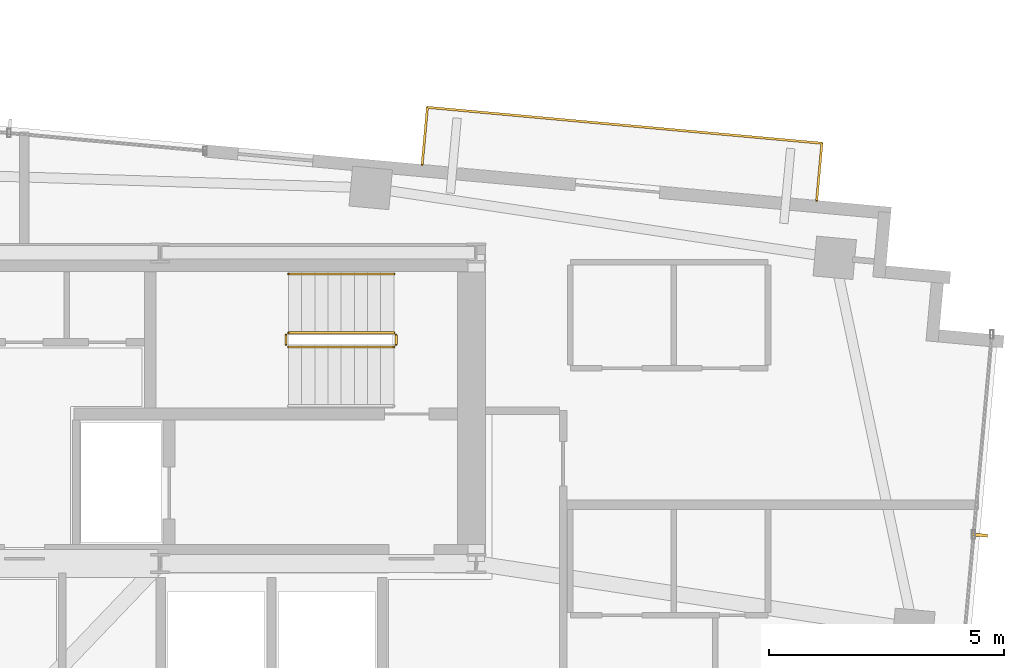
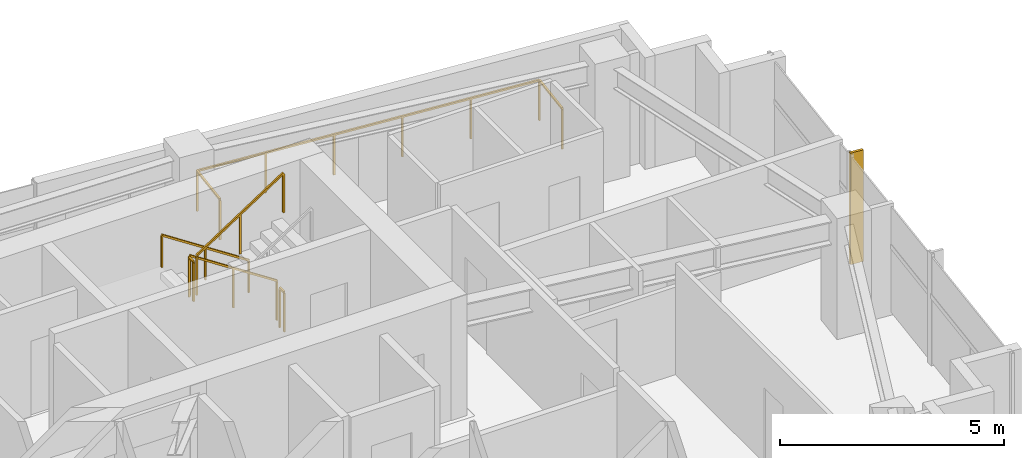
# One storey, part 22 of 22: 6 railings, 1 shading device.
"""IFC4 building model written with IfcOpenShell, lengths in metres."""

from ifc_helpers import new_model, si_unit, direction, frame, origin, origin_2d, place, context, subcontext, project, spatial, rectangle, extrude, source, transform, mapped, material, type_object, type_shapes, element, save


model = new_model("IFC4")

# Units and contexts
model_context = context("Model", 3, precision=1e-05, world=origin(), true_north=direction((0.0, 1.0)))
body_context = subcontext(model_context, "Body", "Model", "MODEL_VIEW")
ifc_project = project(units=[si_unit("LENGTHUNIT", "METRE"), si_unit("AREAUNIT", "SQUARE_METRE"), si_unit("VOLUMEUNIT", "CUBIC_METRE"), si_unit("PLANEANGLEUNIT", "RADIAN"), si_unit("MASSUNIT", "GRAM", prefix="KILO")], contexts=[model_context])

# Site, building, storey
site_placement = place(None, origin())
site = spatial("IfcSite", under=ifc_project, at=site_placement, CompositionType="ELEMENT")
building_placement = place(site_placement, origin())
building = spatial("IfcBuilding", under=site, at=building_placement, Name="Astriad Promenade Condominiums", CompositionType="ELEMENT")
storey_placement = place(building_placement, frame((0.0, 0.0, 246.300048828125)))
storey = spatial("IfcBuildingStorey", under=building, at=storey_placement, Name="L71", CompositionType="ELEMENT", Elevation=246.300048828125)

# Shading device
ifc_material_1 = material(Name="Anodised aluminium 6063-T6 Black Fin", Category="aluminium")
shading_device_type = type_object("IfcShadingDeviceType", Name="FIN-BLACK-260", PredefinedType="USERDEFINED", material=ifc_material_1)
shared_shape_1 = source(origin(), body_context, "Body", "SweptSolid", [
    extrude(rectangle(XDim=0.06494140625, YDim=0.320068359375, at=origin_2d()), origin(), (0.0, 0.0, 1.0), 3.0400390625),
])
type_shapes(shading_device_type, [shared_shape_1])
shading_device_placement = place(storey_placement, frame((56.306884765625, 18.0029296875, 0.0), z_axis=(0.0, 0.0, 1.0), x_axis=(-0.090632580198, -0.995884398616, 0.0)))
element("IfcShadingDevice", 1, at=shading_device_placement, inside=storey, type_object=shading_device_type, Name="CW-L71-E-FIN-01", ObjectType="FIN", PredefinedType="USERDEFINED", context=body_context, shape_type="MappedRepresentation", body=[
    mapped(shared_shape_1, transform((0.0, 0.0, 0.0), scale=1.0)),
])

# Railings
ifc_material_2 = material(Name="Laminated Glass and Stainless Steel Balustrade", Category="steel")
railing_type_1 = type_object("IfcRailingType", Name="GRD-BALC-1120", PredefinedType="BALUSTRADE", material=ifc_material_2)
shared_shape_2 = source(origin(), body_context, "Body", "SweptSolid", [
    extrude(rectangle(XDim=0.048095703125, YDim=0.048095703125, at=origin_2d()), frame((0.0, 0.0, 1.09619140625), z_axis=(0.090445536319, 0.995901403232, 0.0), x_axis=(-0.995901403232, 0.090445536319, 0.0)), (0.0, 0.0, 1.0), 1.219970703125),
    extrude(rectangle(XDim=0.048095703125, YDim=0.048095703125, at=origin_2d()), frame((0.1103515625, 1.215087890625, 1.09619140625), z_axis=(-0.995885832621, 0.090616821749, 0.0), x_axis=(-0.090616821749, -0.995885832621, 0.0)), (0.0, 0.0, 1.0), 8.416748046875),
    extrude(rectangle(XDim=0.048095703125, YDim=0.048095703125, at=origin_2d()), frame((-8.271728515625, 1.977783203125, 1.09619140625), z_axis=(-0.09066206129, -0.995881715186, 0.0), x_axis=(0.995881715186, -0.09066206129, 0.0)), (0.0, 0.0, 1.0), 1.219970703125),
    extrude(rectangle(XDim=0.0419921875, YDim=0.0419921875, at=origin_2d()), origin(), (0.0, 0.0, 1.0), 1.072021484375),
    extrude(rectangle(XDim=0.0419921875, YDim=0.0419921875, at=origin_2d()), frame((0.1103515625, 1.215087890625, 0.0)), (0.0, 0.0, 1.0), 1.072021484375),
    extrude(rectangle(XDim=0.0419921875, YDim=0.0419921875, at=origin_2d()), frame((-1.566162109375, 1.36767578125, 0.0)), (0.0, 0.0, 1.0), 1.072021484375),
    extrude(rectangle(XDim=0.0419921875, YDim=0.0419921875, at=origin_2d()), frame((-3.242431640625, 1.520263671875, 0.0)), (0.0, 0.0, 1.0), 1.072021484375),
    extrude(rectangle(XDim=0.0419921875, YDim=0.0419921875, at=origin_2d()), frame((-4.9189453125, 1.672607421875, 0.0)), (0.0, 0.0, 1.0), 1.072021484375),
    extrude(rectangle(XDim=0.0419921875, YDim=0.0419921875, at=origin_2d()), frame((-6.59521484375, 1.8251953125, 0.0)), (0.0, 0.0, 1.0), 1.072021484375),
    extrude(rectangle(XDim=0.0419921875, YDim=0.0419921875, at=origin_2d()), frame((-8.271728515625, 1.977783203125, 0.0)), (0.0, 0.0, 1.0), 1.072021484375),
    extrude(rectangle(XDim=0.0419921875, YDim=0.0419921875, at=origin_2d()), frame((-8.38232421875, 0.762939453125, 0.0)), (0.0, 0.0, 1.0), 1.072021484375),
])
type_shapes(railing_type_1, [shared_shape_2])
railing_1_placement = place(storey_placement, frame((52.834228515625, 25.113525390625, 0.0)))
element("IfcRailing", 2, at=railing_1_placement, inside=storey, type_object=railing_type_1, Name="GRD-BALC-L71-NE", PredefinedType="BALUSTRADE", context=body_context, shape_type="MappedRepresentation", body=[
    mapped(shared_shape_2, transform((0.0, 0.0, 0.0), scale=1.0)),
])
ifc_material_3 = material(Name="Painted Galvanised Steel Guardrail", Category="steel")
railing_type_2 = type_object("IfcRailingType", Name="GRD-STAIR-1100", PredefinedType="GUARDRAIL", material=ifc_material_3)
shared_shape_3 = source(origin(), body_context, "Body", "SweptSolid", [
    extrude(rectangle(XDim=0.048095703125, YDim=0.048095703125, at=origin_2d()), frame((0.0, 0.0, 1.076171875), z_axis=(-0.836636935527, 0.0, 0.547757827979), x_axis=(0.0, -1.0, 0.0)), (0.0, 0.0, 1.0), 2.677490234375),
    extrude(rectangle(XDim=0.0419921875, YDim=0.0419921875, at=origin_2d()), origin(), (0.0, 0.0, 1.0), 1.052001953125),
    extrude(rectangle(XDim=0.0419921875, YDim=0.0419921875, at=origin_2d()), frame((-1.1201171875, 0.0, 0.7333984375)), (0.0, 0.0, 1.0), 1.052001953125),
    extrude(rectangle(XDim=0.0419921875, YDim=0.0419921875, at=origin_2d()), frame((-2.239990234375, 0.0, 1.466552734375)), (0.0, 0.0, 1.0), 1.052001953125),
])
railing_2_placement = place(storey_placement, frame((43.85009765625, 22.300048828125, 0.183349609375)))
element("IfcRailing", 3, at=railing_2_placement, inside=storey, type_object=railing_type_2, Name="L71 ST-2 stair guard 1", PredefinedType="GUARDRAIL", context=body_context, shape_type="MappedRepresentation", body=[
    mapped(shared_shape_3, transform((0.0, 0.0, 0.0), scale=1.0)),
])
ifc_material_4 = material(Name="Brushed Stainless Steel Handrail", Category="steel")
railing_type_3 = type_object("IfcRailingType", Name="HRL-STAIR-920", PredefinedType="HANDRAIL", material=ifc_material_4)
shared_shape_4 = source(origin(), body_context, "Body", "SweptSolid", [
    extrude(rectangle(XDim=0.048095703125, YDim=0.048095703125, at=origin_2d()), frame((0.0, 0.0, 0.8759765625), z_axis=(-0.836636935527, 0.0, 0.547757827979), x_axis=(0.0, -1.0, 0.0)), (0.0, 0.0, 1.0), 2.677490234375),
    extrude(rectangle(XDim=0.0419921875, YDim=0.0419921875, at=origin_2d()), origin(), (0.0, 0.0, 1.0), 0.851806640625),
    extrude(rectangle(XDim=0.0419921875, YDim=0.0419921875, at=origin_2d()), frame((-1.1201171875, 0.0, 0.7333984375)), (0.0, 0.0, 1.0), 0.851806640625),
    extrude(rectangle(XDim=0.0419921875, YDim=0.0419921875, at=origin_2d()), frame((-2.239990234375, 0.0, 1.466552734375)), (0.0, 0.0, 1.0), 0.851806640625),
])
type_shapes(railing_type_3, [shared_shape_4])
railing_3_placement = place(storey_placement, frame((43.85009765625, 23.550048828125, 0.183349609375)))
element("IfcRailing", 4, at=railing_3_placement, inside=storey, type_object=railing_type_3, Name="L71 ST-2 stair handrail 1", PredefinedType="HANDRAIL", context=body_context, shape_type="MappedRepresentation", body=[
    mapped(shared_shape_4, transform((0.0, 0.0, 0.0), scale=1.0)),
])
shared_shape_5 = source(origin(), body_context, "Body", "SweptSolid", [
    extrude(rectangle(XDim=0.048095703125, YDim=0.048095703125, at=origin_2d()), frame((0.0, 0.0, 1.076171875), z_axis=(0.836595146698, 0.0, 0.547821650285), x_axis=(0.0, 1.0, 0.0)), (0.0, 0.0, 1.0), 2.677490234375),
    extrude(rectangle(XDim=0.0419921875, YDim=0.0419921875, at=origin_2d()), origin(), (0.0, 0.0, 1.0), 1.052001953125),
    extrude(rectangle(XDim=0.0419921875, YDim=0.0419921875, at=origin_2d()), frame((1.1201171875, 0.0, 0.7333984375)), (0.0, 0.0, 1.0), 1.052001953125),
    extrude(rectangle(XDim=0.0419921875, YDim=0.0419921875, at=origin_2d()), frame((2.239990234375, 0.0, 1.466796875)), (0.0, 0.0, 1.0), 1.052001953125),
])
railing_4_placement = place(storey_placement, frame((41.610107421875, 22.0, 1.833251953125)))
element("IfcRailing", 5, at=railing_4_placement, inside=storey, type_object=railing_type_2, Name="L71 ST-2 stair guard 3", PredefinedType="GUARDRAIL", context=body_context, shape_type="MappedRepresentation", body=[
    mapped(shared_shape_5, transform((0.0, 0.0, 0.0), scale=1.0)),
])
shared_shape_6 = source(origin(), body_context, "Body", "SweptSolid", [
    extrude(rectangle(XDim=0.048095703125, YDim=0.048095703125, at=origin_2d()), frame((0.0, 0.0, 1.076171875), z_axis=(0.0, -1.0, 0.0), x_axis=(1.0, 0.0, 0.0)), (0.0, 0.0, 1.0), 0.199951171875),
    extrude(rectangle(XDim=0.0419921875, YDim=0.0419921875, at=origin_2d()), origin(), (0.0, 0.0, 1.0), 1.052001953125),
    extrude(rectangle(XDim=0.0419921875, YDim=0.0419921875, at=origin_2d()), frame((0.0, -0.199951171875, 0.0)), (0.0, 0.0, 1.0), 1.052001953125),
])
type_shapes(railing_type_2, [shared_shape_3, shared_shape_5, shared_shape_6])
for number, where, name in (
    (6, (41.56005859375, 22.25, 1.64990234375), "L71 ST-2 stair guard 2"),
    (7, (43.89990234375, 22.25, 0.0), "L71 ST-2 stair guard 4"),
):
    element("IfcRailing", number, at=place(storey_placement, frame(where)), inside=storey, type_object=railing_type_2, Name=name, PredefinedType="GUARDRAIL", context=body_context, shape_type="MappedRepresentation", body=[
        mapped(shared_shape_6, transform((0.0, 0.0, 0.0), scale=1.0)),
    ])

save(model, "model.ifc")
